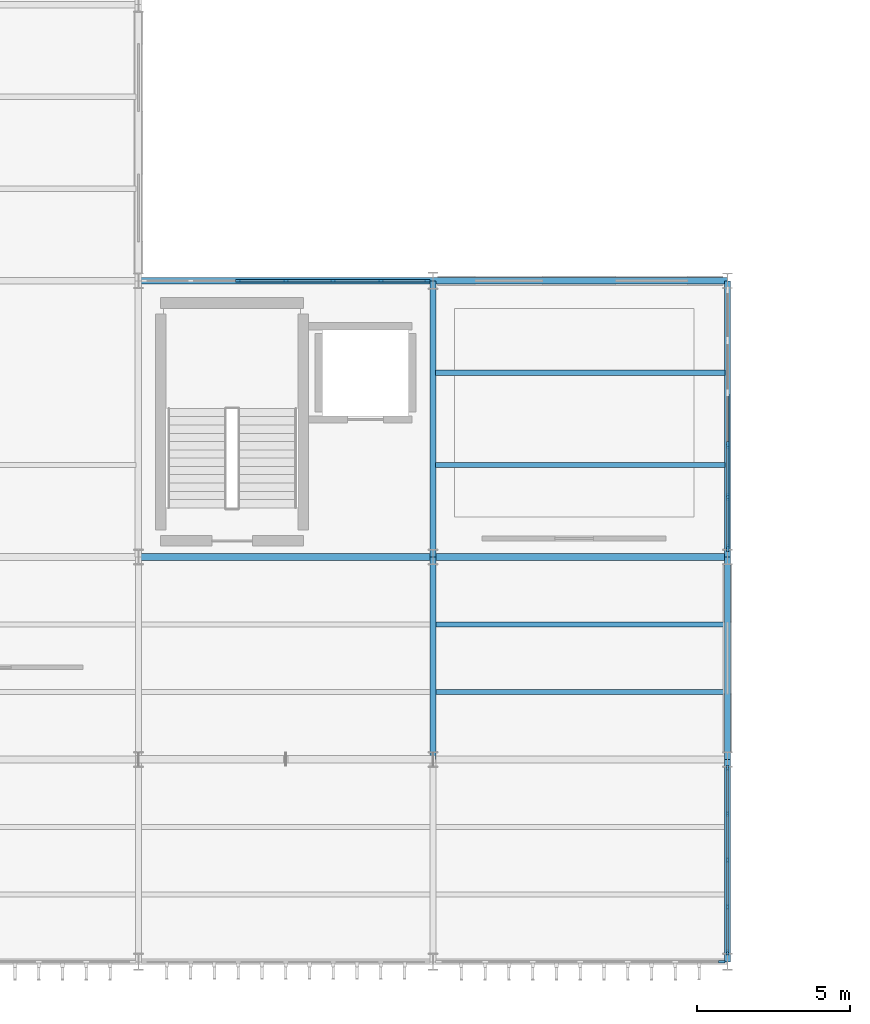
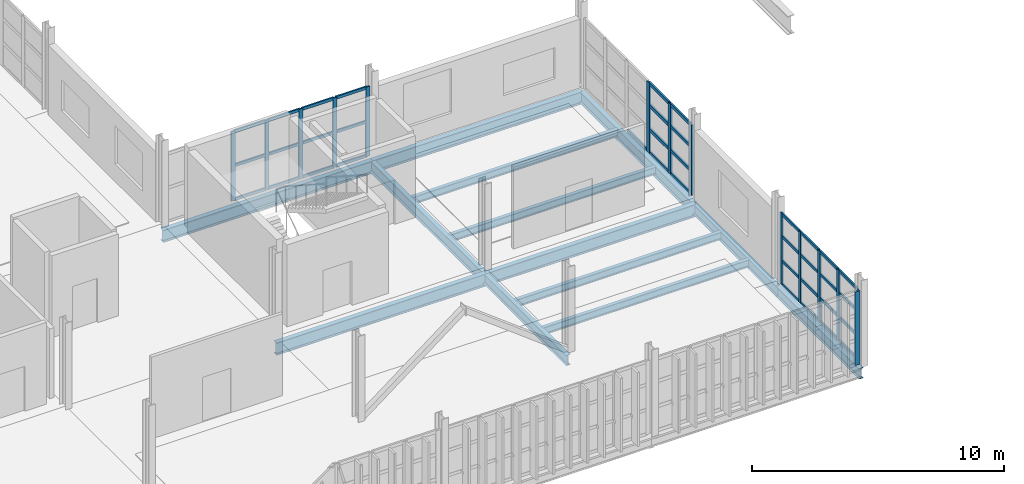
# One storey, part 9 of 52: 51 members, 13 beams, 4 elements without a shape of their own.
"""IFC4 building model written with IfcOpenShell, lengths in metres."""

from ifc_helpers import new_model, si_unit, direction, frame, origin, origin_2d, place, context, subcontext, project, spatial, rectangle, i_section, extrude, material, layer, layer_set, material_profile, profile_set, type_object, element, aggregate, save


model = new_model("IFC4")

# Units and contexts
model_context = context("Model", 3, precision=1e-05, world=origin(), true_north=direction((0.0, 1.0)))
body_context = subcontext(model_context, "Body", "Model", "MODEL_VIEW")
ifc_project = project(units=[si_unit("LENGTHUNIT", "METRE"), si_unit("AREAUNIT", "SQUARE_METRE"), si_unit("VOLUMEUNIT", "CUBIC_METRE"), si_unit("PLANEANGLEUNIT", "RADIAN"), si_unit("MASSUNIT", "GRAM", prefix="KILO")], contexts=[model_context])

# Site, building, storey
site_placement = place(None, origin())
site = spatial("IfcSite", under=ifc_project, at=site_placement, CompositionType="ELEMENT")
building_placement = place(site_placement, origin())
building = spatial("IfcBuilding", under=site, at=building_placement, Name="Zarnetskaya Central Station", CompositionType="ELEMENT")
storey_placement = place(building_placement, frame((0.0, 0.0, 14.39990234375)))
storey = spatial("IfcBuildingStorey", under=building, at=storey_placement, Name="L03", CompositionType="ELEMENT", Elevation=14.39990234375)

# Beams
ifc_material_1 = material(Name="Steel S355", Category="steel")
ifc_material_profile_1 = material_profile(ifc_material_1, i_section(OverallWidth=0.169921875, OverallDepth=0.360107421875, WebThickness=0.008056640625, FlangeThickness=0.0126953125, FilletRadius=0.01806640625, at=origin_2d()), Name="IPE 360")
ifc_profile_set_1 = profile_set([ifc_material_profile_1], Name="Steel S355")
beam_type_1 = type_object("IfcBeamType", Name="BM-SEC-360", PredefinedType="BEAM", material=ifc_profile_set_1)
for number, where, z_axis, x_axis, name in (
    (1, (38.47998046875, 8.800048828125, -0.429931640625), (1.0, 0.0, 0.0), (0.0, 1.0, 0.0), "Secondary floor beam SEC-L03-Z1415-EF-23-1"),
    (2, (38.47998046875, 11.0, -0.429931640625), (1.0, 0.0, 0.0), (0.0, 1.0, 0.0), "Secondary floor beam SEC-L03-Z1415-EF-23-2"),
    (3, (38.47998046875, 16.199951171875, -0.429931640625), (1.0, 0.0, 0.0), (0.0, 1.0, 0.0), "Secondary floor beam SEC-L03-Z1415-EF-34-1"),
    (4, (38.47998046875, 19.199951171875, -0.429931640625), (1.0, 0.0, 0.0), (0.0, 1.0, 0.0), "Secondary floor beam SEC-L03-Z1415-EF-34-2"),
):
    element("IfcBeam", number, at=place(storey_placement, frame(where, z_axis=z_axis, x_axis=x_axis)), inside=storey, type_object=beam_type_1, Name=name, PredefinedType="BEAM", context=body_context, shape_type="SweptSolid", body=[
        extrude(i_section(OverallWidth=0.169921875, OverallDepth=0.360107421875, WebThickness=0.008056640625, FlangeThickness=0.0126953125, FilletRadius=0.01806640625, at=origin_2d()), origin(), (0.0, 0.0, 1.0), 9.43994140625),
    ])

# Curtain wall, members
ifc_material_2 = material(Name="Low-E insulated glass", Category="glass")
ifc_layer_1 = layer(ifc_material_2, 0.176025390625, Name="Low-E insulated glass", Category="glass")
ifc_layer_set_1 = layer_set([ifc_layer_1], Name="Low-E insulated glass")
curtain_wall_type_1 = type_object("IfcCurtainWallType", Name="CW-SYS-05", PredefinedType="USERDEFINED", material=ifc_layer_set_1)
curtain_wall_1_placement = place(storey_placement, origin())
curtain_wall_1 = element("IfcCurtainWall", 5, at=curtain_wall_1_placement, inside=storey, type_object=curtain_wall_type_1, Name="Curtain wall CW-L03-039", ObjectType="CURTAIN WALL", PredefinedType="USERDEFINED")
ifc_material_3 = material(Name="Anodised aluminium", Category="aluminium")
ifc_material_profile_2 = material_profile(ifc_material_3, rectangle(XDim=0.070068359375, YDim=0.179931640625, at=origin_2d()), Name="ALU MULL 70x180")
ifc_profile_set_2 = profile_set([ifc_material_profile_2], Name="Anodised aluminium")
member_type_1 = type_object("IfcMemberType", Name="CW-MULL-180", PredefinedType="MULLION", material=ifc_profile_set_2)
member_1_placement = place(storey_placement, frame((32.050048828125, 22.199951171875, 0.0), z_axis=(0.0, 0.0, 1.0), x_axis=(0.0, 1.0, 0.0)))
member_1 = element("IfcMember", 6, at=member_1_placement, type_object=member_type_1, Name="CW-14 mullion 3", PredefinedType="MULLION", context=body_context, shape_type="SweptSolid", body=[
    extrude(rectangle(XDim=0.070068359375, YDim=0.179931640625, at=origin_2d()), origin(), (0.0, 0.0, 1.0), 3.360107421875),
])
member_2_placement = place(storey_placement, frame((33.60009765625, 22.199951171875, 0.0), z_axis=(0.0, 0.0, 1.0), x_axis=(0.0, 1.0, 0.0)))
member_2 = element("IfcMember", 7, at=member_2_placement, type_object=member_type_1, Name="CW-14 mullion 4", PredefinedType="MULLION", context=body_context, shape_type="SweptSolid", body=[
    extrude(rectangle(XDim=0.070068359375, YDim=0.179931640625, at=origin_2d()), origin(), (0.0, 0.0, 1.0), 3.360107421875),
])
member_3_placement = place(storey_placement, frame((35.14990234375, 22.199951171875, 0.0), z_axis=(0.0, 0.0, 1.0), x_axis=(0.0, 1.0, 0.0)))
member_3 = element("IfcMember", 8, at=member_3_placement, type_object=member_type_1, Name="CW-14 mullion 5", PredefinedType="MULLION", context=body_context, shape_type="SweptSolid", body=[
    extrude(rectangle(XDim=0.070068359375, YDim=0.179931640625, at=origin_2d()), origin(), (0.0, 0.0, 1.0), 3.360107421875),
])
member_4_placement = place(storey_placement, frame((36.699951171875, 22.199951171875, 0.0), z_axis=(0.0, 0.0, 1.0), x_axis=(0.0, 1.0, 0.0)))
member_4 = element("IfcMember", 9, at=member_4_placement, type_object=member_type_1, Name="CW-14 mullion 6", PredefinedType="MULLION", context=body_context, shape_type="SweptSolid", body=[
    extrude(rectangle(XDim=0.070068359375, YDim=0.179931640625, at=origin_2d()), origin(), (0.0, 0.0, 1.0), 3.360107421875),
])
member_5_placement = place(storey_placement, frame((38.215087890625, 22.199951171875, 0.0), z_axis=(0.0, 0.0, 1.0), x_axis=(0.0, 1.0, 0.0)))
member_5 = element("IfcMember", 10, at=member_5_placement, type_object=member_type_1, Name="CW-14 mullion 7", PredefinedType="MULLION", context=body_context, shape_type="SweptSolid", body=[
    extrude(rectangle(XDim=0.070068359375, YDim=0.179931640625, at=origin_2d()), origin(), (0.0, 0.0, 1.0), 3.360107421875),
])

ifc_layer_2 = layer(ifc_material_2, 0.1640625, Name="Low-E insulated glass", Category="glass")
ifc_layer_set_2 = layer_set([ifc_layer_2], Name="Low-E insulated glass")
curtain_wall_type_2 = type_object("IfcCurtainWallType", Name="CW-SYS-07", PredefinedType="USERDEFINED", material=ifc_layer_set_2)
curtain_wall_2_placement = place(storey_placement, origin())
curtain_wall_2 = element("IfcCurtainWall", 11, at=curtain_wall_2_placement, inside=storey, type_object=curtain_wall_type_2, Name="Curtain wall CW-L03-041", ObjectType="CURTAIN WALL", PredefinedType="USERDEFINED")
member_6_placement = place(storey_placement, frame((48.0, 6.31494140625, 0.0), z_axis=(0.0, 0.0, 1.0), x_axis=(1.0, 0.0, 0.0)))
member_6 = element("IfcMember", 12, at=member_6_placement, type_object=member_type_1, Name="CW-06 mullion 1", PredefinedType="MULLION", context=body_context, shape_type="SweptSolid", body=[
    extrude(rectangle(XDim=0.070068359375, YDim=0.179931640625, at=origin_2d()), origin(), (0.0, 0.0, 1.0), 3.460205078125),
])
member_7_placement = place(storey_placement, frame((48.0, 4.831298828125, 0.0), z_axis=(0.0, 0.0, 1.0), x_axis=(1.0, 0.0, 0.0)))
member_7 = element("IfcMember", 13, at=member_7_placement, type_object=member_type_1, Name="CW-06 mullion 2", PredefinedType="MULLION", context=body_context, shape_type="SweptSolid", body=[
    extrude(rectangle(XDim=0.070068359375, YDim=0.179931640625, at=origin_2d()), origin(), (0.0, 0.0, 1.0), 3.460205078125),
])
member_8_placement = place(storey_placement, frame((48.0, 3.3125, 0.0), z_axis=(0.0, 0.0, 1.0), x_axis=(1.0, 0.0, 0.0)))
member_8 = element("IfcMember", 14, at=member_8_placement, type_object=member_type_1, Name="CW-06 mullion 3", PredefinedType="MULLION", context=body_context, shape_type="SweptSolid", body=[
    extrude(rectangle(XDim=0.070068359375, YDim=0.179931640625, at=origin_2d()), origin(), (0.0, 0.0, 1.0), 3.460205078125),
])
member_9_placement = place(storey_placement, frame((48.0, 1.793701171875, 0.0), z_axis=(0.0, 0.0, 1.0), x_axis=(1.0, 0.0, 0.0)))
member_9 = element("IfcMember", 15, at=member_9_placement, type_object=member_type_1, Name="CW-06 mullion 4", PredefinedType="MULLION", context=body_context, shape_type="SweptSolid", body=[
    extrude(rectangle(XDim=0.070068359375, YDim=0.179931640625, at=origin_2d()), origin(), (0.0, 0.0, 1.0), 3.460205078125),
])
member_10_placement = place(storey_placement, frame((48.0, 0.31005859375, 0.0), z_axis=(0.0, 0.0, 1.0), x_axis=(1.0, 0.0, 0.0)))
member_10 = element("IfcMember", 16, at=member_10_placement, type_object=member_type_1, Name="CW-06 mullion 5", PredefinedType="MULLION", context=body_context, shape_type="SweptSolid", body=[
    extrude(rectangle(XDim=0.070068359375, YDim=0.179931640625, at=origin_2d()), origin(), (0.0, 0.0, 1.0), 3.460205078125),
])

curtain_wall_3_placement = place(storey_placement, origin())
curtain_wall_3 = element("IfcCurtainWall", 17, at=curtain_wall_3_placement, inside=storey, type_object=curtain_wall_type_1, Name="Curtain wall CW-L03-040", ObjectType="CURTAIN WALL", PredefinedType="USERDEFINED")
ifc_material_profile_3 = material_profile(ifc_material_3, rectangle(XDim=0.080078125, YDim=0.219970703125, at=origin_2d()), Name="ALU MULL 80x220")
ifc_profile_set_3 = profile_set([ifc_material_profile_3], Name="Anodised aluminium")
member_type_2 = type_object("IfcMemberType", Name="CW-MULL-220", PredefinedType="MULLION", material=ifc_profile_set_3)
member_11_placement = place(storey_placement, frame((48.0, 16.85009765625, 0.0), z_axis=(0.0, 0.0, 1.0), x_axis=(1.0, 0.0, 0.0)))
member_11 = element("IfcMember", 18, at=member_11_placement, type_object=member_type_2, Name="CW-14 mullion 4", PredefinedType="MULLION", context=body_context, shape_type="SweptSolid", body=[
    extrude(rectangle(XDim=0.080078125, YDim=0.219970703125, at=origin_2d()), origin(), (0.0, 0.0, 1.0), 3.41015625),
])
member_12_placement = place(storey_placement, frame((48.0, 15.14990234375, 0.0), z_axis=(0.0, 0.0, 1.0), x_axis=(1.0, 0.0, 0.0)))
member_12 = element("IfcMember", 19, at=member_12_placement, type_object=member_type_2, Name="CW-14 mullion 5", PredefinedType="MULLION", context=body_context, shape_type="SweptSolid", body=[
    extrude(rectangle(XDim=0.080078125, YDim=0.219970703125, at=origin_2d()), origin(), (0.0, 0.0, 1.0), 3.41015625),
])
member_13_placement = place(storey_placement, frame((48.0, 13.489990234375, 0.0), z_axis=(0.0, 0.0, 1.0), x_axis=(1.0, 0.0, 0.0)))
member_13 = element("IfcMember", 20, at=member_13_placement, type_object=member_type_2, Name="CW-14 mullion 6", PredefinedType="MULLION", context=body_context, shape_type="SweptSolid", body=[
    extrude(rectangle(XDim=0.080078125, YDim=0.219970703125, at=origin_2d()), origin(), (0.0, 0.0, 1.0), 3.41015625),
])

# Curtain wall, member
curtain_wall_4_placement = place(storey_placement, origin())
curtain_wall_4 = element("IfcCurtainWall", 21, at=curtain_wall_4_placement, inside=storey, type_object=curtain_wall_type_1, Name="Curtain wall CW-L03-042", ObjectType="CURTAIN WALL", PredefinedType="USERDEFINED")
member_14_placement = place(storey_placement, frame((47.81005859375, 0.0, 0.0), z_axis=(0.0, 0.0, 1.0), x_axis=(0.0, -1.0, 0.0)))
member_14 = element("IfcMember", 22, at=member_14_placement, type_object=member_type_2, Name="CW-14 mullion 1", PredefinedType="MULLION", context=body_context, shape_type="SweptSolid", body=[
    extrude(rectangle(XDim=0.080078125, YDim=0.219970703125, at=origin_2d()), origin(), (0.0, 0.0, 1.0), 3.56005859375),
])
aggregate(curtain_wall_4, [member_14])

# Member
ifc_material_profile_4 = material_profile(ifc_material_3, rectangle(XDim=0.070068359375, YDim=0.139892578125, at=origin_2d()), Name="ALU TRAN 70x140")
ifc_profile_set_4 = profile_set([ifc_material_profile_4], Name="Anodised aluminium")
member_type_3 = type_object("IfcMemberType", Name="CW-TRAN-140", PredefinedType="USERDEFINED", material=ifc_profile_set_4)
member_15_placement = place(storey_placement, frame((32.0849609375, 22.199951171875, 0.03515625), z_axis=(1.0, 0.0, 0.0), x_axis=(0.0, 1.0, 0.0)))
member_15 = element("IfcMember", 23, at=member_15_placement, type_object=member_type_3, Name="CW-14 transom 3.1", ObjectType="TRANSOM", PredefinedType="USERDEFINED", context=body_context, shape_type="SweptSolid", body=[
    extrude(rectangle(XDim=0.070068359375, YDim=0.139892578125, at=origin_2d()), origin(), (0.0, 0.0, 1.0), 1.47998046875),
])

member_16_placement = place(storey_placement, frame((32.0849609375, 22.199951171875, 1.68017578125), z_axis=(1.0, 0.0, 0.0), x_axis=(0.0, 1.0, 0.0)))
member_16 = element("IfcMember", 24, at=member_16_placement, type_object=member_type_3, Name="CW-14 transom 3.2", ObjectType="TRANSOM", PredefinedType="USERDEFINED", context=body_context, shape_type="SweptSolid", body=[
    extrude(rectangle(XDim=0.070068359375, YDim=0.139892578125, at=origin_2d()), origin(), (0.0, 0.0, 1.0), 1.47998046875),
])

member_17_placement = place(storey_placement, frame((32.0849609375, 22.199951171875, 3.3251953125), z_axis=(1.0, 0.0, 0.0), x_axis=(0.0, 1.0, 0.0)))
member_17 = element("IfcMember", 25, at=member_17_placement, type_object=member_type_3, Name="CW-14 transom 3.3", ObjectType="TRANSOM", PredefinedType="USERDEFINED", context=body_context, shape_type="SweptSolid", body=[
    extrude(rectangle(XDim=0.070068359375, YDim=0.139892578125, at=origin_2d()), origin(), (0.0, 0.0, 1.0), 1.47998046875),
])

member_18_placement = place(storey_placement, frame((33.635009765625, 22.199951171875, 0.03515625), z_axis=(1.0, 0.0, 0.0), x_axis=(0.0, 1.0, 0.0)))
member_18 = element("IfcMember", 26, at=member_18_placement, type_object=member_type_3, Name="CW-14 transom 4.1", ObjectType="TRANSOM", PredefinedType="USERDEFINED", context=body_context, shape_type="SweptSolid", body=[
    extrude(rectangle(XDim=0.070068359375, YDim=0.139892578125, at=origin_2d()), origin(), (0.0, 0.0, 1.0), 1.47998046875),
])

member_19_placement = place(storey_placement, frame((33.635009765625, 22.199951171875, 1.68017578125), z_axis=(1.0, 0.0, 0.0), x_axis=(0.0, 1.0, 0.0)))
member_19 = element("IfcMember", 27, at=member_19_placement, type_object=member_type_3, Name="CW-14 transom 4.2", ObjectType="TRANSOM", PredefinedType="USERDEFINED", context=body_context, shape_type="SweptSolid", body=[
    extrude(rectangle(XDim=0.070068359375, YDim=0.139892578125, at=origin_2d()), origin(), (0.0, 0.0, 1.0), 1.47998046875),
])

member_20_placement = place(storey_placement, frame((33.635009765625, 22.199951171875, 3.3251953125), z_axis=(1.0, 0.0, 0.0), x_axis=(0.0, 1.0, 0.0)))
member_20 = element("IfcMember", 28, at=member_20_placement, type_object=member_type_3, Name="CW-14 transom 4.3", ObjectType="TRANSOM", PredefinedType="USERDEFINED", context=body_context, shape_type="SweptSolid", body=[
    extrude(rectangle(XDim=0.070068359375, YDim=0.139892578125, at=origin_2d()), origin(), (0.0, 0.0, 1.0), 1.47998046875),
])

member_21_placement = place(storey_placement, frame((35.18505859375, 22.199951171875, 0.03515625), z_axis=(1.0, 0.0, 0.0), x_axis=(0.0, 1.0, 0.0)))
member_21 = element("IfcMember", 29, at=member_21_placement, type_object=member_type_3, Name="CW-14 transom 5.1", ObjectType="TRANSOM", PredefinedType="USERDEFINED", context=body_context, shape_type="SweptSolid", body=[
    extrude(rectangle(XDim=0.070068359375, YDim=0.139892578125, at=origin_2d()), origin(), (0.0, 0.0, 1.0), 1.47998046875),
])

member_22_placement = place(storey_placement, frame((35.18505859375, 22.199951171875, 1.68017578125), z_axis=(1.0, 0.0, 0.0), x_axis=(0.0, 1.0, 0.0)))
member_22 = element("IfcMember", 30, at=member_22_placement, type_object=member_type_3, Name="CW-14 transom 5.2", ObjectType="TRANSOM", PredefinedType="USERDEFINED", context=body_context, shape_type="SweptSolid", body=[
    extrude(rectangle(XDim=0.070068359375, YDim=0.139892578125, at=origin_2d()), origin(), (0.0, 0.0, 1.0), 1.47998046875),
])

member_23_placement = place(storey_placement, frame((35.18505859375, 22.199951171875, 3.3251953125), z_axis=(1.0, 0.0, 0.0), x_axis=(0.0, 1.0, 0.0)))
member_23 = element("IfcMember", 31, at=member_23_placement, type_object=member_type_3, Name="CW-14 transom 5.3", ObjectType="TRANSOM", PredefinedType="USERDEFINED", context=body_context, shape_type="SweptSolid", body=[
    extrude(rectangle(XDim=0.070068359375, YDim=0.139892578125, at=origin_2d()), origin(), (0.0, 0.0, 1.0), 1.47998046875),
])

member_24_placement = place(storey_placement, frame((36.735107421875, 22.199951171875, 0.03515625), z_axis=(1.0, 0.0, 0.0), x_axis=(0.0, 1.0, 0.0)))
member_24 = element("IfcMember", 32, at=member_24_placement, type_object=member_type_3, Name="CW-14 transom 6.1", ObjectType="TRANSOM", PredefinedType="USERDEFINED", context=body_context, shape_type="SweptSolid", body=[
    extrude(rectangle(XDim=0.070068359375, YDim=0.139892578125, at=origin_2d()), origin(), (0.0, 0.0, 1.0), 1.44482421875),
])

member_25_placement = place(storey_placement, frame((36.735107421875, 22.199951171875, 1.68017578125), z_axis=(1.0, 0.0, 0.0), x_axis=(0.0, 1.0, 0.0)))
member_25 = element("IfcMember", 33, at=member_25_placement, type_object=member_type_3, Name="CW-14 transom 6.2", ObjectType="TRANSOM", PredefinedType="USERDEFINED", context=body_context, shape_type="SweptSolid", body=[
    extrude(rectangle(XDim=0.070068359375, YDim=0.139892578125, at=origin_2d()), origin(), (0.0, 0.0, 1.0), 1.44482421875),
])

member_26_placement = place(storey_placement, frame((36.735107421875, 22.199951171875, 3.3251953125), z_axis=(1.0, 0.0, 0.0), x_axis=(0.0, 1.0, 0.0)))
member_26 = element("IfcMember", 34, at=member_26_placement, type_object=member_type_3, Name="CW-14 transom 6.3", ObjectType="TRANSOM", PredefinedType="USERDEFINED", context=body_context, shape_type="SweptSolid", body=[
    extrude(rectangle(XDim=0.070068359375, YDim=0.139892578125, at=origin_2d()), origin(), (0.0, 0.0, 1.0), 1.44482421875),
])

aggregate(curtain_wall_1, [member_1, member_2, member_3, member_4, member_5, member_15, member_16, member_17, member_18, member_19, member_20, member_21, member_22, member_23, member_24, member_25, member_26])

member_27_placement = place(storey_placement, frame((48.0, 6.280029296875, 0.03515625), z_axis=(0.0, -1.0, 0.0), x_axis=(1.0, 0.0, 0.0)))
member_27 = element("IfcMember", 35, at=member_27_placement, type_object=member_type_3, Name="CW-06 transom 1.1", ObjectType="TRANSOM", PredefinedType="USERDEFINED", context=body_context, shape_type="SweptSolid", body=[
    extrude(rectangle(XDim=0.070068359375, YDim=0.139892578125, at=origin_2d()), origin(), (0.0, 0.0, 1.0), 1.413818359375),
])

member_28_placement = place(storey_placement, frame((48.0, 6.280029296875, 1.176025390625), z_axis=(0.0, -1.0, 0.0), x_axis=(1.0, 0.0, 0.0)))
member_28 = element("IfcMember", 36, at=member_28_placement, type_object=member_type_3, Name="CW-06 transom 1.2", ObjectType="TRANSOM", PredefinedType="USERDEFINED", context=body_context, shape_type="SweptSolid", body=[
    extrude(rectangle(XDim=0.070068359375, YDim=0.139892578125, at=origin_2d()), origin(), (0.0, 0.0, 1.0), 1.413818359375),
])

member_29_placement = place(storey_placement, frame((48.0, 6.280029296875, 2.35302734375), z_axis=(0.0, -1.0, 0.0), x_axis=(1.0, 0.0, 0.0)))
member_29 = element("IfcMember", 37, at=member_29_placement, type_object=member_type_3, Name="CW-06 transom 1.3", ObjectType="TRANSOM", PredefinedType="USERDEFINED", context=body_context, shape_type="SweptSolid", body=[
    extrude(rectangle(XDim=0.070068359375, YDim=0.139892578125, at=origin_2d()), origin(), (0.0, 0.0, 1.0), 1.413818359375),
])

member_30_placement = place(storey_placement, frame((48.0, 6.280029296875, 3.425048828125), z_axis=(0.0, -1.0, 0.0), x_axis=(1.0, 0.0, 0.0)))
member_30 = element("IfcMember", 38, at=member_30_placement, type_object=member_type_3, Name="CW-06 transom 1.4", ObjectType="TRANSOM", PredefinedType="USERDEFINED", context=body_context, shape_type="SweptSolid", body=[
    extrude(rectangle(XDim=0.070068359375, YDim=0.139892578125, at=origin_2d()), origin(), (0.0, 0.0, 1.0), 1.413818359375),
])

member_31_placement = place(storey_placement, frame((48.0, 4.796142578125, 0.03515625), z_axis=(0.0, -1.0, 0.0), x_axis=(1.0, 0.0, 0.0)))
member_31 = element("IfcMember", 39, at=member_31_placement, type_object=member_type_3, Name="CW-06 transom 2.1", ObjectType="TRANSOM", PredefinedType="USERDEFINED", context=body_context, shape_type="SweptSolid", body=[
    extrude(rectangle(XDim=0.070068359375, YDim=0.139892578125, at=origin_2d()), origin(), (0.0, 0.0, 1.0), 1.44873046875),
])

member_32_placement = place(storey_placement, frame((48.0, 4.796142578125, 1.176025390625), z_axis=(0.0, -1.0, 0.0), x_axis=(1.0, 0.0, 0.0)))
member_32 = element("IfcMember", 40, at=member_32_placement, type_object=member_type_3, Name="CW-06 transom 2.2", ObjectType="TRANSOM", PredefinedType="USERDEFINED", context=body_context, shape_type="SweptSolid", body=[
    extrude(rectangle(XDim=0.070068359375, YDim=0.139892578125, at=origin_2d()), origin(), (0.0, 0.0, 1.0), 1.44873046875),
])

member_33_placement = place(storey_placement, frame((48.0, 4.796142578125, 2.35302734375), z_axis=(0.0, -1.0, 0.0), x_axis=(1.0, 0.0, 0.0)))
member_33 = element("IfcMember", 41, at=member_33_placement, type_object=member_type_3, Name="CW-06 transom 2.3", ObjectType="TRANSOM", PredefinedType="USERDEFINED", context=body_context, shape_type="SweptSolid", body=[
    extrude(rectangle(XDim=0.070068359375, YDim=0.139892578125, at=origin_2d()), origin(), (0.0, 0.0, 1.0), 1.44873046875),
])

member_34_placement = place(storey_placement, frame((48.0, 4.796142578125, 3.425048828125), z_axis=(0.0, -1.0, 0.0), x_axis=(1.0, 0.0, 0.0)))
member_34 = element("IfcMember", 42, at=member_34_placement, type_object=member_type_3, Name="CW-06 transom 2.4", ObjectType="TRANSOM", PredefinedType="USERDEFINED", context=body_context, shape_type="SweptSolid", body=[
    extrude(rectangle(XDim=0.070068359375, YDim=0.139892578125, at=origin_2d()), origin(), (0.0, 0.0, 1.0), 1.44873046875),
])

member_35_placement = place(storey_placement, frame((48.0, 3.277587890625, 0.03515625), z_axis=(0.0, -1.0, 0.0), x_axis=(1.0, 0.0, 0.0)))
member_35 = element("IfcMember", 43, at=member_35_placement, type_object=member_type_3, Name="CW-06 transom 3.1", ObjectType="TRANSOM", PredefinedType="USERDEFINED", context=body_context, shape_type="SweptSolid", body=[
    extrude(rectangle(XDim=0.070068359375, YDim=0.139892578125, at=origin_2d()), origin(), (0.0, 0.0, 1.0), 1.44873046875),
])

member_36_placement = place(storey_placement, frame((48.0, 3.277587890625, 1.176025390625), z_axis=(0.0, -1.0, 0.0), x_axis=(1.0, 0.0, 0.0)))
member_36 = element("IfcMember", 44, at=member_36_placement, type_object=member_type_3, Name="CW-06 transom 3.2", ObjectType="TRANSOM", PredefinedType="USERDEFINED", context=body_context, shape_type="SweptSolid", body=[
    extrude(rectangle(XDim=0.070068359375, YDim=0.139892578125, at=origin_2d()), origin(), (0.0, 0.0, 1.0), 1.44873046875),
])

member_37_placement = place(storey_placement, frame((48.0, 3.277587890625, 2.35302734375), z_axis=(0.0, -1.0, 0.0), x_axis=(1.0, 0.0, 0.0)))
member_37 = element("IfcMember", 45, at=member_37_placement, type_object=member_type_3, Name="CW-06 transom 3.3", ObjectType="TRANSOM", PredefinedType="USERDEFINED", context=body_context, shape_type="SweptSolid", body=[
    extrude(rectangle(XDim=0.070068359375, YDim=0.139892578125, at=origin_2d()), origin(), (0.0, 0.0, 1.0), 1.44873046875),
])

member_38_placement = place(storey_placement, frame((48.0, 3.277587890625, 3.425048828125), z_axis=(0.0, -1.0, 0.0), x_axis=(1.0, 0.0, 0.0)))
member_38 = element("IfcMember", 46, at=member_38_placement, type_object=member_type_3, Name="CW-06 transom 3.4", ObjectType="TRANSOM", PredefinedType="USERDEFINED", context=body_context, shape_type="SweptSolid", body=[
    extrude(rectangle(XDim=0.070068359375, YDim=0.139892578125, at=origin_2d()), origin(), (0.0, 0.0, 1.0), 1.44873046875),
])

member_39_placement = place(storey_placement, frame((48.0, 1.7587890625, 0.03515625), z_axis=(0.0, -1.0, 0.0), x_axis=(1.0, 0.0, 0.0)))
member_39 = element("IfcMember", 47, at=member_39_placement, type_object=member_type_3, Name="CW-06 transom 4.1", ObjectType="TRANSOM", PredefinedType="USERDEFINED", context=body_context, shape_type="SweptSolid", body=[
    extrude(rectangle(XDim=0.070068359375, YDim=0.139892578125, at=origin_2d()), origin(), (0.0, 0.0, 1.0), 1.413818359375),
])

member_40_placement = place(storey_placement, frame((48.0, 1.7587890625, 1.176025390625), z_axis=(0.0, -1.0, 0.0), x_axis=(1.0, 0.0, 0.0)))
member_40 = element("IfcMember", 48, at=member_40_placement, type_object=member_type_3, Name="CW-06 transom 4.2", ObjectType="TRANSOM", PredefinedType="USERDEFINED", context=body_context, shape_type="SweptSolid", body=[
    extrude(rectangle(XDim=0.070068359375, YDim=0.139892578125, at=origin_2d()), origin(), (0.0, 0.0, 1.0), 1.413818359375),
])

member_41_placement = place(storey_placement, frame((48.0, 1.7587890625, 2.35302734375), z_axis=(0.0, -1.0, 0.0), x_axis=(1.0, 0.0, 0.0)))
member_41 = element("IfcMember", 49, at=member_41_placement, type_object=member_type_3, Name="CW-06 transom 4.3", ObjectType="TRANSOM", PredefinedType="USERDEFINED", context=body_context, shape_type="SweptSolid", body=[
    extrude(rectangle(XDim=0.070068359375, YDim=0.139892578125, at=origin_2d()), origin(), (0.0, 0.0, 1.0), 1.413818359375),
])

member_42_placement = place(storey_placement, frame((48.0, 1.7587890625, 3.425048828125), z_axis=(0.0, -1.0, 0.0), x_axis=(1.0, 0.0, 0.0)))
member_42 = element("IfcMember", 50, at=member_42_placement, type_object=member_type_3, Name="CW-06 transom 4.4", ObjectType="TRANSOM", PredefinedType="USERDEFINED", context=body_context, shape_type="SweptSolid", body=[
    extrude(rectangle(XDim=0.070068359375, YDim=0.139892578125, at=origin_2d()), origin(), (0.0, 0.0, 1.0), 1.413818359375),
])

aggregate(curtain_wall_2, [member_6, member_7, member_8, member_9, member_10, member_27, member_28, member_29, member_30, member_31, member_32, member_33, member_34, member_35, member_36, member_37, member_38, member_39, member_40, member_41, member_42])

ifc_material_profile_5 = material_profile(ifc_material_3, rectangle(XDim=0.080078125, YDim=0.159912109375, at=origin_2d()), Name="ALU TRAN 80x160")
ifc_profile_set_5 = profile_set([ifc_material_profile_5], Name="Anodised aluminium")
member_type_4 = type_object("IfcMemberType", Name="CW-TRAN-160", PredefinedType="USERDEFINED", material=ifc_profile_set_5)
member_43_placement = place(storey_placement, frame((48.0, 18.510009765625, 0.0400390625), z_axis=(0.0, -1.0, 0.0), x_axis=(1.0, 0.0, 0.0)))
member_43 = element("IfcMember", 51, at=member_43_placement, type_object=member_type_4, Name="CW-14 transom 3.1", ObjectType="TRANSOM", PredefinedType="USERDEFINED", context=body_context, shape_type="SweptSolid", body=[
    extrude(rectangle(XDim=0.080078125, YDim=0.159912109375, at=origin_2d()), origin(), (0.0, 0.0, 1.0), 1.6201171875),
])

member_44_placement = place(storey_placement, frame((48.0, 16.81005859375, 0.0400390625), z_axis=(0.0, -1.0, 0.0), x_axis=(1.0, 0.0, 0.0)))
member_44 = element("IfcMember", 52, at=member_44_placement, type_object=member_type_4, Name="CW-14 transom 4.1", ObjectType="TRANSOM", PredefinedType="USERDEFINED", context=body_context, shape_type="SweptSolid", body=[
    extrude(rectangle(XDim=0.080078125, YDim=0.159912109375, at=origin_2d()), origin(), (0.0, 0.0, 1.0), 1.6201171875),
])

member_45_placement = place(storey_placement, frame((48.0, 16.81005859375, 1.1591796875), z_axis=(0.0, -1.0, 0.0), x_axis=(1.0, 0.0, 0.0)))
member_45 = element("IfcMember", 53, at=member_45_placement, type_object=member_type_4, Name="CW-14 transom 4.2", ObjectType="TRANSOM", PredefinedType="USERDEFINED", context=body_context, shape_type="SweptSolid", body=[
    extrude(rectangle(XDim=0.080078125, YDim=0.159912109375, at=origin_2d()), origin(), (0.0, 0.0, 1.0), 1.6201171875),
])

member_46_placement = place(storey_placement, frame((48.0, 16.81005859375, 2.319091796875), z_axis=(0.0, -1.0, 0.0), x_axis=(1.0, 0.0, 0.0)))
member_46 = element("IfcMember", 54, at=member_46_placement, type_object=member_type_4, Name="CW-14 transom 4.3", ObjectType="TRANSOM", PredefinedType="USERDEFINED", context=body_context, shape_type="SweptSolid", body=[
    extrude(rectangle(XDim=0.080078125, YDim=0.159912109375, at=origin_2d()), origin(), (0.0, 0.0, 1.0), 1.6201171875),
])

member_47_placement = place(storey_placement, frame((48.0, 16.81005859375, 3.3701171875), z_axis=(0.0, -1.0, 0.0), x_axis=(1.0, 0.0, 0.0)))
member_47 = element("IfcMember", 55, at=member_47_placement, type_object=member_type_4, Name="CW-14 transom 4.4", ObjectType="TRANSOM", PredefinedType="USERDEFINED", context=body_context, shape_type="SweptSolid", body=[
    extrude(rectangle(XDim=0.080078125, YDim=0.159912109375, at=origin_2d()), origin(), (0.0, 0.0, 1.0), 1.6201171875),
])

member_48_placement = place(storey_placement, frame((48.0, 15.110107421875, 0.0400390625), z_axis=(0.0, -1.0, 0.0), x_axis=(1.0, 0.0, 0.0)))
member_48 = element("IfcMember", 56, at=member_48_placement, type_object=member_type_4, Name="CW-14 transom 5.1", ObjectType="TRANSOM", PredefinedType="USERDEFINED", context=body_context, shape_type="SweptSolid", body=[
    extrude(rectangle(XDim=0.080078125, YDim=0.159912109375, at=origin_2d()), origin(), (0.0, 0.0, 1.0), 1.580078125),
])

member_49_placement = place(storey_placement, frame((48.0, 15.110107421875, 1.1591796875), z_axis=(0.0, -1.0, 0.0), x_axis=(1.0, 0.0, 0.0)))
member_49 = element("IfcMember", 57, at=member_49_placement, type_object=member_type_4, Name="CW-14 transom 5.2", ObjectType="TRANSOM", PredefinedType="USERDEFINED", context=body_context, shape_type="SweptSolid", body=[
    extrude(rectangle(XDim=0.080078125, YDim=0.159912109375, at=origin_2d()), origin(), (0.0, 0.0, 1.0), 1.580078125),
])

member_50_placement = place(storey_placement, frame((48.0, 15.110107421875, 2.319091796875), z_axis=(0.0, -1.0, 0.0), x_axis=(1.0, 0.0, 0.0)))
member_50 = element("IfcMember", 58, at=member_50_placement, type_object=member_type_4, Name="CW-14 transom 5.3", ObjectType="TRANSOM", PredefinedType="USERDEFINED", context=body_context, shape_type="SweptSolid", body=[
    extrude(rectangle(XDim=0.080078125, YDim=0.159912109375, at=origin_2d()), origin(), (0.0, 0.0, 1.0), 1.580078125),
])

member_51_placement = place(storey_placement, frame((48.0, 15.110107421875, 3.3701171875), z_axis=(0.0, -1.0, 0.0), x_axis=(1.0, 0.0, 0.0)))
member_51 = element("IfcMember", 59, at=member_51_placement, type_object=member_type_4, Name="CW-14 transom 5.4", ObjectType="TRANSOM", PredefinedType="USERDEFINED", context=body_context, shape_type="SweptSolid", body=[
    extrude(rectangle(XDim=0.080078125, YDim=0.159912109375, at=origin_2d()), origin(), (0.0, 0.0, 1.0), 1.580078125),
])

aggregate(curtain_wall_3, [member_11, member_12, member_13, member_43, member_44, member_45, member_46, member_47, member_48, member_49, member_50, member_51])

# Beams
ifc_material_profile_6 = material_profile(ifc_material_1, i_section(OverallWidth=0.199951171875, OverallDepth=0.5, WebThickness=0.01025390625, FlangeThickness=0.01611328125, FilletRadius=0.02099609375, at=origin_2d()), Name="IPE 500")
ifc_profile_set_6 = profile_set([ifc_material_profile_6], Name="Steel S355")
beam_type_2 = type_object("IfcBeamType", Name="GD-FLR-500", PredefinedType="USERDEFINED", material=ifc_profile_set_6)
beam_1_placement = place(storey_placement, frame((38.39990234375, 6.60009765625, -0.5), z_axis=(0.0, 1.0, 0.0), x_axis=(-1.0, 0.0, 0.0)))
element("IfcBeam", 60, at=beam_1_placement, inside=storey, type_object=beam_type_2, Name="Grid girder GY-L03-E-23", ObjectType="GIRDER", PredefinedType="USERDEFINED", context=body_context, shape_type="SweptSolid", body=[
    extrude(i_section(OverallWidth=0.199951171875, OverallDepth=0.5, WebThickness=0.01025390625, FlangeThickness=0.01611328125, FilletRadius=0.02099609375, at=origin_2d()), origin(), (0.0, 0.0, 1.0), 6.599853515625),
])
beam_2_placement = place(storey_placement, frame((48.0, 0.0, -0.5), z_axis=(0.0, 1.0, 0.0), x_axis=(-1.0, 0.0, 0.0)))
element("IfcBeam", 61, at=beam_2_placement, inside=storey, type_object=beam_type_2, Name="Grid girder GY-L03-F-12", ObjectType="GIRDER", PredefinedType="USERDEFINED", context=body_context, shape_type="SweptSolid", body=[
    extrude(i_section(OverallWidth=0.199951171875, OverallDepth=0.5, WebThickness=0.01025390625, FlangeThickness=0.01611328125, FilletRadius=0.02099609375, at=origin_2d()), origin(), (0.0, 0.0, 1.0), 6.60009765625),
])
beam_3_placement = place(storey_placement, frame((48.0, 6.60009765625, -0.5), z_axis=(0.0, 1.0, 0.0), x_axis=(-1.0, 0.0, 0.0)))
element("IfcBeam", 62, at=beam_3_placement, inside=storey, type_object=beam_type_2, Name="Grid girder GY-L03-F-23", ObjectType="GIRDER", PredefinedType="USERDEFINED", context=body_context, shape_type="SweptSolid", body=[
    extrude(i_section(OverallWidth=0.199951171875, OverallDepth=0.5, WebThickness=0.01025390625, FlangeThickness=0.01611328125, FilletRadius=0.02099609375, at=origin_2d()), origin(), (0.0, 0.0, 1.0), 6.599853515625),
])
ifc_material_profile_7 = material_profile(ifc_material_1, i_section(OverallWidth=0.2099609375, OverallDepth=0.550048828125, WebThickness=0.010986328125, FlangeThickness=0.01708984375, FilletRadius=0.02392578125, at=origin_2d()), Name="IPE 550")
ifc_profile_set_7 = profile_set([ifc_material_profile_7], Name="Steel S355")
beam_type_3 = type_object("IfcBeamType", Name="GD-FLR-550", PredefinedType="USERDEFINED", material=ifc_profile_set_7)
for number, where, z_axis, x_axis, name in (
    (63, (38.39990234375, 13.199951171875, -0.52490234375), (0.0, 1.0, 0.0), (-1.0, 0.0, 0.0), "Grid girder GY-L03-E-34"),
    (64, (48.0, 13.199951171875, -0.52490234375), (0.0, 1.0, 0.0), (-1.0, 0.0, 0.0), "Grid girder GY-L03-F-34"),
):
    element("IfcBeam", number, at=place(storey_placement, frame(where, z_axis=z_axis, x_axis=x_axis)), inside=storey, type_object=beam_type_3, Name=name, ObjectType="GIRDER", PredefinedType="USERDEFINED", context=body_context, shape_type="SweptSolid", body=[
        extrude(i_section(OverallWidth=0.2099609375, OverallDepth=0.550048828125, WebThickness=0.010986328125, FlangeThickness=0.01708984375, FilletRadius=0.02392578125, at=origin_2d()), origin(), (0.0, 0.0, 1.0), 9.0),
    ])
ifc_material_profile_8 = material_profile(ifc_material_1, i_section(OverallWidth=0.219970703125, OverallDepth=0.60009765625, WebThickness=0.011962890625, FlangeThickness=0.01904296875, FilletRadius=0.02392578125, at=origin_2d()), Name="IPE 600")
ifc_profile_set_8 = profile_set([ifc_material_profile_8], Name="Steel S355")
beam_type_4 = type_object("IfcBeamType", Name="GD-FLR-600", PredefinedType="USERDEFINED", material=ifc_profile_set_8)
for number, where, z_axis, x_axis, name in (
    (65, (28.800048828125, 13.199951171875, -0.5498046875), (1.0, 0.0, 0.0), (0.0, 1.0, 0.0), "Grid girder GX-L03-3-DE"),
    (66, (28.800048828125, 22.199951171875, -0.5498046875), (1.0, 0.0, 0.0), (0.0, 1.0, 0.0), "Grid girder GX-L03-4-DE"),
):
    element("IfcBeam", number, at=place(storey_placement, frame(where, z_axis=z_axis, x_axis=x_axis)), inside=storey, type_object=beam_type_4, Name=name, ObjectType="GIRDER", PredefinedType="USERDEFINED", context=body_context, shape_type="SweptSolid", body=[
        extrude(i_section(OverallWidth=0.219970703125, OverallDepth=0.60009765625, WebThickness=0.011962890625, FlangeThickness=0.01904296875, FilletRadius=0.02392578125, at=origin_2d()), origin(), (0.0, 0.0, 1.0), 9.599853515625),
    ])
for number, where, z_axis, x_axis, name in (
    (67, (38.39990234375, 13.199951171875, -0.5498046875), (1.0, 0.0, 0.0), (0.0, 1.0, 0.0), "Grid girder GX-L03-3-EF"),
    (68, (38.39990234375, 22.199951171875, -0.5498046875), (1.0, 0.0, 0.0), (0.0, 1.0, 0.0), "Grid girder GX-L03-4-EF"),
):
    element("IfcBeam", number, at=place(storey_placement, frame(where, z_axis=z_axis, x_axis=x_axis)), inside=storey, type_object=beam_type_4, Name=name, ObjectType="GIRDER", PredefinedType="USERDEFINED", context=body_context, shape_type="SweptSolid", body=[
        extrude(i_section(OverallWidth=0.219970703125, OverallDepth=0.60009765625, WebThickness=0.011962890625, FlangeThickness=0.01904296875, FilletRadius=0.02392578125, at=origin_2d()), origin(), (0.0, 0.0, 1.0), 9.60009765625),
    ])

save(model, "model.ifc")
